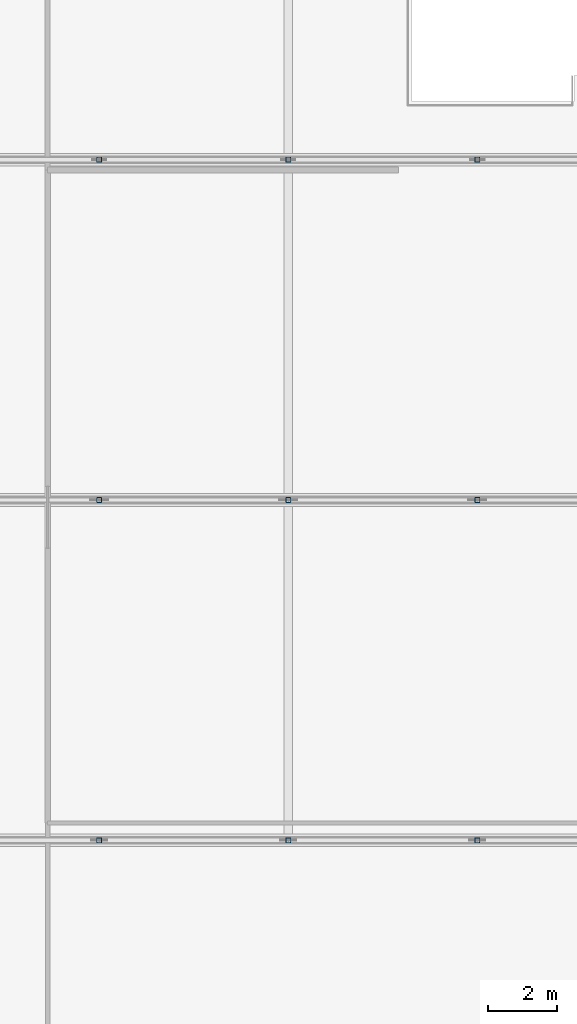
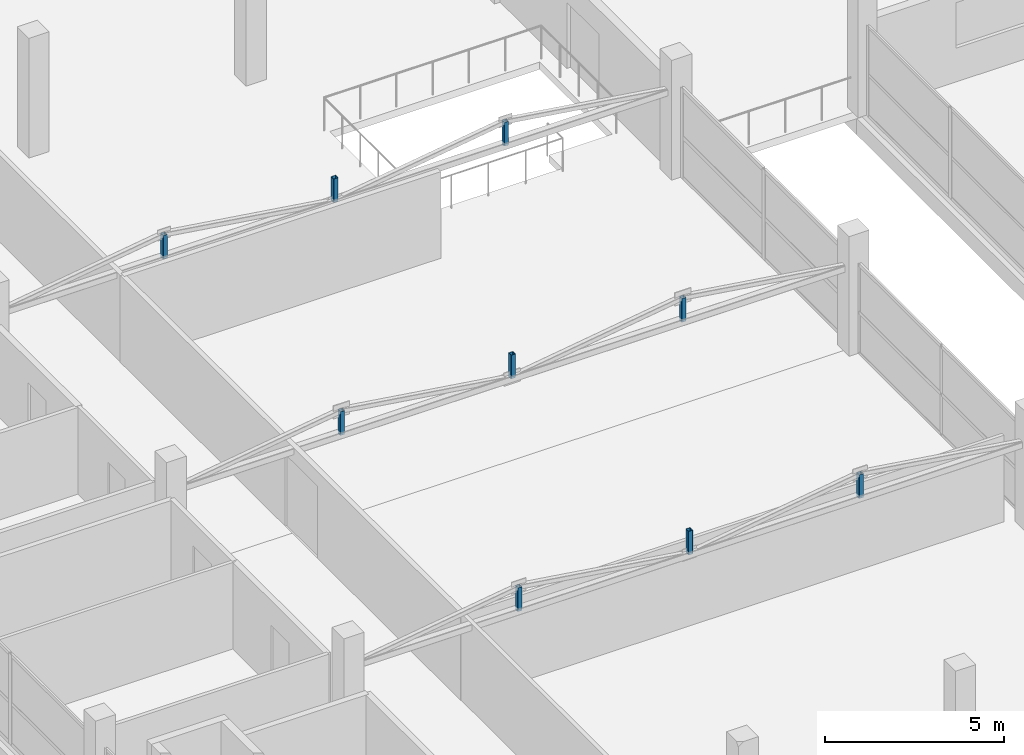
# One storey, part 41 of 53: 9 members.
"""IFC4 building model written with IfcOpenShell, lengths in metres."""

import ifcopenshell
import ifcopenshell.guid

model = None  # the IFC model being written
_history = None  # IfcOwnerHistory: only IFC2X3 demands one
_inside = {}  # id of a spatial element -> (the spatial element, [elements in it])
_under = {}  # id of a project, library or spatial element -> (it, [spatial elements below it])
_declared = {}  # id of a project -> (the project, [libraries it declares])
_typed = {}  # id of a type object -> (the type object, [elements of that type])
_made_of = {}  # id of a material, layer set ... -> (it, [elements and type objects made of it])


def new_model(schema):
    """Start an empty IFC model of exactly this schema.

    Asked for "IFC4X3", IfcOpenShell would pick the latest addendum, in which some entities
    have other attributes; the version numbers below select the first issue.
    IFC2X3 requires an IfcOwnerHistory on every rooted entity: one is made here for all.
    """
    global model, _history
    if schema == "IFC4X3":
        model = ifcopenshell.file(schema_version=(4, 3, 0, 0))
    else:
        model = ifcopenshell.file(schema=schema)
    _inside.clear()
    _under.clear()
    _declared.clear()
    _typed.clear()
    _made_of.clear()
    _history = None
    if model.schema == "IFC2X3":
        org = make("IfcOrganization", Name="unknown")
        user = make(
            "IfcPersonAndOrganization",
            ThePerson=make("IfcPerson", FamilyName="unknown"),
            TheOrganization=org,
        )
        app = make(
            "IfcApplication",
            ApplicationDeveloper=org,
            Version="unknown",
            ApplicationFullName="unknown",
            ApplicationIdentifier="unknown",
        )
        _history = make(
            "IfcOwnerHistory",
            OwningUser=user,
            OwningApplication=app,
            ChangeAction="ADDED",
            CreationDate=0,
        )
    return model


def make(cls, **values):
    """One entity of the class cls with the attributes given. An attribute that is None is left unset."""
    return model.create_entity(
        cls, **{name: value for name, value in values.items() if value is not None}
    )


def rooted(cls, **values):
    """An entity with a GlobalId (a new one), such as an element, a storey or a relation."""
    return make(cls, GlobalId=ifcopenshell.guid.new(), OwnerHistory=_history, **values)


def si_unit(unit_type, name, prefix=None):
    """IfcSIUnit, for example si_unit("LENGTHUNIT", "METRE", prefix="MILLI")."""
    return make("IfcSIUnit", UnitType=unit_type, Prefix=prefix, Name=name)


def assignment(units):
    """IfcUnitAssignment: the units of a project."""
    return None if units is None else make("IfcUnitAssignment", Units=units)


def point(xyz):
    """IfcCartesianPoint."""
    return None if xyz is None else make("IfcCartesianPoint", Coordinates=xyz)


def direction(xyz):
    """IfcDirection."""
    return None if xyz is None else make("IfcDirection", DirectionRatios=xyz)


def frame(location, z_axis=None, x_axis=None):
    """IfcAxis2Placement3D, a coordinate frame: its origin and axes. An axis left out is left unset."""
    return make(
        "IfcAxis2Placement3D",
        Location=point(location),
        Axis=direction(z_axis),
        RefDirection=direction(x_axis),
    )


def frame_2d(location, x_axis=None):
    """IfcAxis2Placement2D, a coordinate frame in the plane: its origin and x axis."""
    return make(
        "IfcAxis2Placement2D", Location=point(location), RefDirection=direction(x_axis)
    )


def origin():
    """The frame at (0, 0, 0) with its axes left unset."""
    return frame((0.0, 0.0, 0.0))


def origin_2d():
    """The frame at (0, 0) in the plane with its x axis left unset."""
    return frame_2d((0.0, 0.0))


def place(relative_to, where):
    """IfcLocalPlacement: puts the frame where relative to a parent placement (None: the world)."""
    return make(
        "IfcLocalPlacement", PlacementRelTo=relative_to, RelativePlacement=where
    )


def context(
    kind, dimensions, precision=None, world=None, true_north=None, identifier=None
):
    """IfcGeometricRepresentationContext, for example the 3D "Model" context."""
    return make(
        "IfcGeometricRepresentationContext",
        ContextIdentifier=identifier,
        ContextType=kind,
        CoordinateSpaceDimension=dimensions,
        Precision=precision,
        WorldCoordinateSystem=world,
        TrueNorth=true_north,
    )


def subcontext(parent, identifier, kind, view, scale=None):
    """IfcGeometricRepresentationSubContext, for example "Body" below "Model"."""
    return make(
        "IfcGeometricRepresentationSubContext",
        ContextIdentifier=identifier,
        ContextType=kind,
        ParentContext=parent,
        TargetScale=scale,
        TargetView=view,
    )


def project(units=None, contexts=None):
    """IfcProject with its units and contexts."""
    return rooted(
        "IfcProject",
        Name="project",
        RepresentationContexts=contexts,
        UnitsInContext=assignment(units),
    )


def spatial(cls, under=None, at=None, **own):
    """A site, building, storey or space (cls), placed at a placement, below another one or the project."""
    s = rooted(cls, ObjectPlacement=at, **own)
    if under is not None:
        _under.setdefault(under.id(), (under, []))[1].append(s)
    return s


def profile(cls, at=None, kind="AREA", **sizes):
    """A parametric profile (cls). Its sizes go by their IFC names, for example OverallWidth=200.0."""
    return make(cls, ProfileType=kind, Position=at, **sizes)


def hollow_rectangle(**sizes):
    """IfcRectangleHollowProfileDef."""
    return profile("IfcRectangleHollowProfileDef", **sizes)


def extrude(swept, where, along, depth):
    """IfcExtrudedAreaSolid: the profile swept, set in the frame where, extruded along a direction by depth."""
    return make(
        "IfcExtrudedAreaSolid",
        SweptArea=swept,
        Position=where,
        ExtrudedDirection=direction(along),
        Depth=depth,
    )


def shape(context_of_items, identifier, shape_type, items):
    """IfcShapeRepresentation: the items that make up one representation, for example the "Body"."""
    return make(
        "IfcShapeRepresentation",
        ContextOfItems=context_of_items,
        RepresentationIdentifier=identifier,
        RepresentationType=shape_type,
        Items=items,
    )


def material(Name=None, Category=None):
    """IfcMaterial."""
    return make("IfcMaterial", Name=Name, Category=Category)


def material_profile(
    of_material, cross_section, Name=None, Category=None, Priority=None
):
    """IfcMaterialProfile: a cross section and its material."""
    return make(
        "IfcMaterialProfile",
        Name=Name,
        Material=of_material,
        Profile=cross_section,
        Priority=Priority,
        Category=Category,
    )


def profile_set(profiles, Name=None, composite=None):
    """IfcMaterialProfileSet."""
    return make(
        "IfcMaterialProfileSet",
        Name=Name,
        MaterialProfiles=profiles,
        CompositeProfile=composite,
    )


def made_of(thing, what):
    """Note that an element or type object is made of a material, layer set ...; save() writes the relation."""
    if what is not None:
        _made_of.setdefault(what.id(), (what, []))[1].append(thing)
    return thing


def type_object(cls, material=None, **own):
    """A type object (cls), such as IfcWallType, which elements share."""
    return made_of(rooted(cls, **own), material)


def element(
    cls,
    number,
    at=None,
    inside=None,
    cuts=None,
    type_object=None,
    material=None,
    context=None,
    identifier="Body",
    shape_type=None,
    held_by="IfcProductDefinitionShape",
    body=None,
    shapes=None,
    **own,
):
    """One element of the class cls, such as IfcWall. Its Tag is "e" and its number.

    at: its placement. inside: the storey or other place that contains it. cuts: it is an
    opening in that element (IfcRelVoidsElement). A single representation is given by context,
    identifier, shape_type and body (its items); several are given by shapes. held_by: the class
    of the entity that holds the representations. save() writes the other relations.
    """
    e = rooted(cls, Tag="e%d" % number, ObjectPlacement=at, **own)
    if body is not None:
        shapes = [shape(context, identifier, shape_type, body)]
    if shapes is not None:
        e.Representation = make(held_by, Representations=shapes)
    if inside is not None:
        _inside.setdefault(inside.id(), (inside, []))[1].append(e)
    if cuts is not None:
        rooted(
            "IfcRelVoidsElement", RelatingBuildingElement=cuts, RelatedOpeningElement=e
        )
    if type_object is not None:
        _typed.setdefault(type_object.id(), (type_object, []))[1].append(e)
    return made_of(e, material)


def aggregate(whole, parts):
    """IfcRelAggregates: a whole, such as a stair, and the parts it consists of."""
    return rooted("IfcRelAggregates", RelatingObject=whole, RelatedObjects=parts)


def save(model, path):
    """Write the relations noted so far, then the file.

    IfcRelAggregates (storeys below a building ...), IfcRelContainedInSpatialStructure (elements
    in a storey), IfcRelDefinesByType, IfcRelAssociatesMaterial and IfcRelDeclares: one each for
    every whole, place, type object, material and project.
    """
    for whole, parts in _under.values():
        aggregate(whole, parts)
    for where, things in _inside.values():
        rooted(
            "IfcRelContainedInSpatialStructure",
            RelatedElements=things,
            RelatingStructure=where,
        )
    for kind, things in _typed.values():
        rooted("IfcRelDefinesByType", RelatedObjects=things, RelatingType=kind)
    for what, things in _made_of.values():
        rooted("IfcRelAssociatesMaterial", RelatedObjects=things, RelatingMaterial=what)
    for by, libraries in _declared.values():
        rooted("IfcRelDeclares", RelatingContext=by, RelatedDefinitions=libraries)
    model.write(path)


model = new_model("IFC4")

# Units and contexts
model_context = context("Model", 3, precision=1e-05, world=origin(), true_north=direction((0.0, 1.0)))
body_context = subcontext(model_context, "Body", "Model", "MODEL_VIEW")
ifc_project = project(units=[si_unit("LENGTHUNIT", "METRE"), si_unit("AREAUNIT", "SQUARE_METRE"), si_unit("VOLUMEUNIT", "CUBIC_METRE"), si_unit("PLANEANGLEUNIT", "RADIAN"), si_unit("MASSUNIT", "GRAM", prefix="KILO")], contexts=[model_context])

# Site, building, storey
site_placement = place(None, origin())
site = spatial("IfcSite", under=ifc_project, at=site_placement, CompositionType="ELEMENT")
building_placement = place(site_placement, origin())
building = spatial("IfcBuilding", under=site, at=building_placement, Name="Sillaruma Civic Art Gallery", CompositionType="ELEMENT")
storey_placement = place(building_placement, frame((0.0, 0.0, 70.3798828125)))
storey = spatial("IfcBuildingStorey", under=building, at=storey_placement, Name="L14", CompositionType="ELEMENT", Elevation=70.3798828125)

# Members
ifc_material = material(Name="Structural Steel ASTM A500 Gr.C", Category="steel")
ifc_material_profile = material_profile(ifc_material, hollow_rectangle(XDim=0.14990234375, YDim=0.14990234375, WallThickness=0.010009765625, InnerFilletRadius=0.010009765625, OuterFilletRadius=0.02001953125, at=origin_2d()), Name="HSS150x150x10")
ifc_profile_set = profile_set([ifc_material_profile], Name="Structural Steel ASTM A500 Gr.C")
member_type = type_object("IfcMemberType", Name="MEM-POST-HSS150x150x10", PredefinedType="POST", material=ifc_profile_set)
for number, where, z_axis, x_axis, name in (
    (1, (75.5, 49.5, 2.840087890625), (0.0, 0.0, 1.0), (1.0, 0.0, 0.0), "Warren Truss Vertical Post TR-L14-1-V1"),
    (2, (81.0, 49.5, 2.840087890625), (0.0, 0.0, 1.0), (1.0, 0.0, 0.0), "Warren Truss Vertical Post TR-L14-1-V2"),
    (3, (86.5, 49.5, 2.840087890625), (0.0, 0.0, 1.0), (1.0, 0.0, 0.0), "Warren Truss Vertical Post TR-L14-1-V3"),
    (4, (75.5, 59.39990234375, 2.840087890625), (0.0, 0.0, 1.0), (1.0, 0.0, 0.0), "Warren Truss Vertical Post TR-L14-2-V1"),
    (5, (81.0, 59.39990234375, 2.840087890625), (0.0, 0.0, 1.0), (1.0, 0.0, 0.0), "Warren Truss Vertical Post TR-L14-2-V2"),
    (6, (86.5, 59.39990234375, 2.840087890625), (0.0, 0.0, 1.0), (1.0, 0.0, 0.0), "Warren Truss Vertical Post TR-L14-2-V3"),
    (7, (75.5, 69.300048828125, 2.840087890625), (0.0, 0.0, 1.0), (1.0, 0.0, 0.0), "Warren Truss Vertical Post TR-L14-3-V1"),
    (8, (81.0, 69.300048828125, 2.840087890625), (0.0, 0.0, 1.0), (1.0, 0.0, 0.0), "Warren Truss Vertical Post TR-L14-3-V2"),
    (9, (86.5, 69.300048828125, 2.840087890625), (0.0, 0.0, 1.0), (1.0, 0.0, 0.0), "Warren Truss Vertical Post TR-L14-3-V3"),
):
    element("IfcMember", number, at=place(storey_placement, frame(where, z_axis=z_axis, x_axis=x_axis)), inside=storey, type_object=member_type, Name=name, PredefinedType="POST", context=body_context, shape_type="SweptSolid", body=[
        extrude(hollow_rectangle(XDim=0.14990234375, YDim=0.14990234375, WallThickness=0.010009765625, InnerFilletRadius=0.010009765625, OuterFilletRadius=0.02001953125, at=origin_2d()), origin(), (0.0, 0.0, 1.0), 0.80810546875),
    ])

save(model, "model.ifc")
